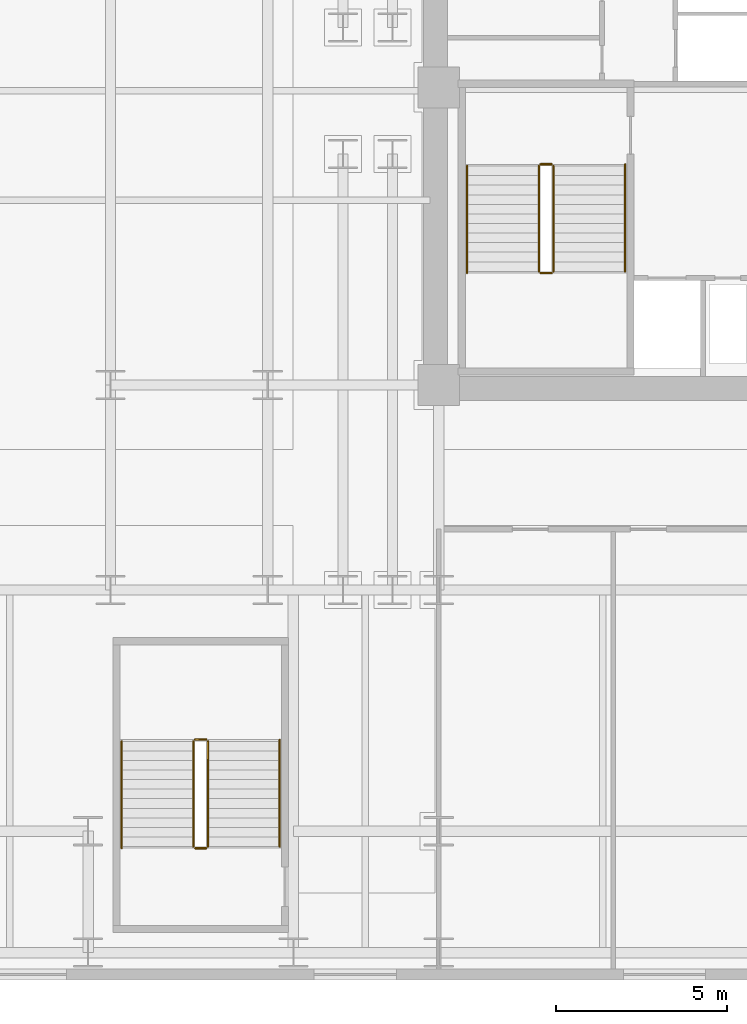
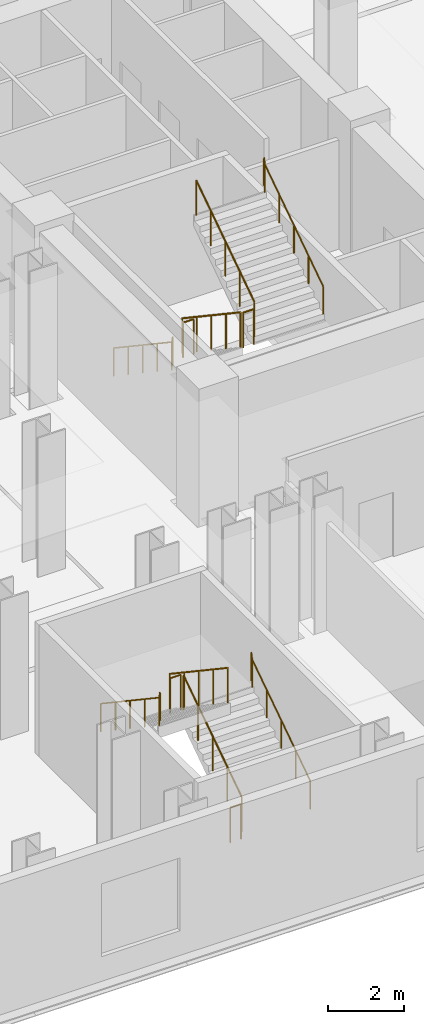
# One storey, part 12 of 15: 12 railings.
"""IFC4 building model written with IfcOpenShell, lengths in metres."""

from ifc_helpers import new_model, si_unit, direction, frame, origin, origin_2d, place, context, subcontext, project, spatial, circle, extrude, material, type_object, element, save


model = new_model("IFC4")

# Units and contexts
model_context = context("Model", 3, precision=1e-05, world=origin(), true_north=direction((0.0, 1.0)))
body_context = subcontext(model_context, "Body", "Model", "MODEL_VIEW")
ifc_project = project(units=[si_unit("LENGTHUNIT", "METRE"), si_unit("AREAUNIT", "SQUARE_METRE"), si_unit("VOLUMEUNIT", "CUBIC_METRE"), si_unit("PLANEANGLEUNIT", "RADIAN"), si_unit("MASSUNIT", "GRAM", prefix="KILO")], contexts=[model_context])

# Site, building, storey
site_placement = place(None, origin())
site = spatial("IfcSite", under=ifc_project, at=site_placement, CompositionType="ELEMENT")
building_placement = place(site_placement, origin())
building = spatial("IfcBuilding", under=site, at=building_placement, Name="Velakula Bourse", CompositionType="ELEMENT")
storey_placement = place(building_placement, frame((0.0, 0.0, 14.10009765625)))
storey = spatial("IfcBuildingStorey", under=building, at=storey_placement, Name="L03", CompositionType="ELEMENT", Elevation=14.10009765625)

# Railings
ifc_material = material(Name="Brushed grade 316 stainless steel", Category="steel")
railing_type_1 = type_object("IfcRailingType", Name="RLG-STAIR-GUARD-1150", PredefinedType="BALUSTRADE", material=ifc_material)
railing_1_placement = place(storey_placement, frame((-15.672119140625, -2.199951171875, 0.1875)))
element("IfcRailing", 1, at=railing_1_placement, inside=storey, type_object=railing_type_1, Name="L03 ST-W1 stair guard 1", PredefinedType="BALUSTRADE", context=body_context, shape_type="SweptSolid", body=[
    extrude(circle(Radius=0.02490234375, at=origin_2d()), frame((0.0, 0.0, 1.125), z_axis=(0.0, -0.830913701846, 0.55640131208), x_axis=(1.0, 0.0, 0.0)), (0.0, 0.0, 1.0), 3.706787109375),
    extrude(circle(Radius=0.02099609375, at=origin_2d()), origin(), (0.0, 0.0, 1.0), 1.099853515625),
    extrude(circle(Radius=0.02099609375, at=origin_2d()), frame((0.0, -0.77001953125, 0.515625)), (0.0, 0.0, 1.0), 1.099853515625),
    extrude(circle(Radius=0.02099609375, at=origin_2d()), frame((0.0, -1.5400390625, 1.03125)), (0.0, 0.0, 1.0), 1.099853515625),
    extrude(circle(Radius=0.02099609375, at=origin_2d()), frame((0.0, -2.31005859375, 1.546875)), (0.0, 0.0, 1.0), 1.099853515625),
    extrude(circle(Radius=0.02099609375, at=origin_2d()), frame((0.0, -3.080078125, 2.0625)), (0.0, 0.0, 1.0), 1.099853515625),
])
railing_2_placement = place(storey_placement, frame((-15.6220703125, -5.330078125, 2.25)))
element("IfcRailing", 2, at=railing_2_placement, inside=storey, type_object=railing_type_1, Name="L03 ST-W1 stair guard 2", PredefinedType="BALUSTRADE", context=body_context, shape_type="SweptSolid", body=[
    extrude(circle(Radius=0.02490234375, at=origin_2d()), frame((0.0, 0.0, 1.125), z_axis=(1.0, 0.0, 0.0), x_axis=(0.0, 1.0, 0.0)), (0.0, 0.0, 1.0), 0.323974609375),
    extrude(circle(Radius=0.02099609375, at=origin_2d()), origin(), (0.0, 0.0, 1.0), 1.099853515625),
    extrude(circle(Radius=0.02099609375, at=origin_2d()), frame((0.323974609375, 0.0, 0.0)), (0.0, 0.0, 1.0), 1.099853515625),
])
railing_3_placement = place(storey_placement, frame((-15.248046875, -5.280029296875, 2.4375)))
element("IfcRailing", 3, at=railing_3_placement, inside=storey, type_object=railing_type_1, Name="L03 ST-W1 stair guard 3", PredefinedType="BALUSTRADE", context=body_context, shape_type="SweptSolid", body=[
    extrude(circle(Radius=0.02490234375, at=origin_2d()), frame((0.0, 0.0, 1.125), z_axis=(0.0, 0.830913701846, 0.55640131208), x_axis=(-1.0, 0.0, 0.0)), (0.0, 0.0, 1.0), 3.706787109375),
    extrude(circle(Radius=0.02099609375, at=origin_2d()), origin(), (0.0, 0.0, 1.0), 1.099853515625),
    extrude(circle(Radius=0.02099609375, at=origin_2d()), frame((0.0, 0.77001953125, 0.515625)), (0.0, 0.0, 1.0), 1.099853515625),
    extrude(circle(Radius=0.02099609375, at=origin_2d()), frame((0.0, 1.5400390625, 1.03125)), (0.0, 0.0, 1.0), 1.099853515625),
    extrude(circle(Radius=0.02099609375, at=origin_2d()), frame((0.0, 2.31005859375, 1.546875)), (0.0, 0.0, 1.0), 1.099853515625),
    extrude(circle(Radius=0.02099609375, at=origin_2d()), frame((0.0, 3.080078125, 2.0625)), (0.0, 0.0, 1.0), 1.099853515625),
])
railing_4_placement = place(storey_placement, frame((-15.6220703125, -2.14990234375, 0.0)))
element("IfcRailing", 4, at=railing_4_placement, inside=storey, type_object=railing_type_1, Name="L03 ST-W1 stair guard 4", PredefinedType="BALUSTRADE", context=body_context, shape_type="SweptSolid", body=[
    extrude(circle(Radius=0.02490234375, at=origin_2d()), frame((0.0, 0.0, 1.125), z_axis=(1.0, 0.0, 0.0), x_axis=(0.0, 1.0, 0.0)), (0.0, 0.0, 1.0), 0.323974609375),
    extrude(circle(Radius=0.02099609375, at=origin_2d()), origin(), (0.0, 0.0, 1.0), 1.099853515625),
    extrude(circle(Radius=0.02099609375, at=origin_2d()), frame((0.323974609375, 0.0, 0.0)), (0.0, 0.0, 1.0), 1.099853515625),
])
railing_5_placement = place(storey_placement, frame((-25.347900390625, -22.10009765625, 0.1875)))
element("IfcRailing", 5, at=railing_5_placement, inside=storey, type_object=railing_type_1, Name="L03 ST-P1 stair guard 1", PredefinedType="BALUSTRADE", context=body_context, shape_type="SweptSolid", body=[
    extrude(circle(Radius=0.02490234375, at=origin_2d()), frame((0.0, 0.0, 1.125), z_axis=(0.0, 0.830913701846, 0.55640131208), x_axis=(-1.0, 0.0, 0.0)), (0.0, 0.0, 1.0), 3.706787109375),
    extrude(circle(Radius=0.02099609375, at=origin_2d()), origin(), (0.0, 0.0, 1.0), 1.099853515625),
    extrude(circle(Radius=0.02099609375, at=origin_2d()), frame((0.0, 0.77001953125, 0.515625)), (0.0, 0.0, 1.0), 1.099853515625),
    extrude(circle(Radius=0.02099609375, at=origin_2d()), frame((0.0, 1.5400390625, 1.03125)), (0.0, 0.0, 1.0), 1.099853515625),
    extrude(circle(Radius=0.02099609375, at=origin_2d()), frame((0.0, 2.31005859375, 1.546875)), (0.0, 0.0, 1.0), 1.099853515625),
    extrude(circle(Radius=0.02099609375, at=origin_2d()), frame((0.0, 3.080078125, 2.0625)), (0.0, 0.0, 1.0), 1.099853515625),
])
railing_6_placement = place(storey_placement, frame((-25.39794921875, -18.969970703125, 2.25)))
element("IfcRailing", 6, at=railing_6_placement, inside=storey, type_object=railing_type_1, Name="L03 ST-P1 stair guard 2", PredefinedType="BALUSTRADE", context=body_context, shape_type="SweptSolid", body=[
    extrude(circle(Radius=0.02490234375, at=origin_2d()), frame((0.0, 0.0, 1.125), z_axis=(-1.0, 0.0, 0.0), x_axis=(0.0, -1.0, 0.0)), (0.0, 0.0, 1.0), 0.323974609375),
    extrude(circle(Radius=0.02099609375, at=origin_2d()), origin(), (0.0, 0.0, 1.0), 1.099853515625),
    extrude(circle(Radius=0.02099609375, at=origin_2d()), frame((-0.323974609375, 0.0, 0.0)), (0.0, 0.0, 1.0), 1.099853515625),
])
railing_7_placement = place(storey_placement, frame((-25.77197265625, -19.02001953125, 2.4375)))
element("IfcRailing", 7, at=railing_7_placement, inside=storey, type_object=railing_type_1, Name="L03 ST-P1 stair guard 3", PredefinedType="BALUSTRADE", context=body_context, shape_type="SweptSolid", body=[
    extrude(circle(Radius=0.02490234375, at=origin_2d()), frame((0.0, 0.0, 1.125), z_axis=(0.0, -0.830913701846, 0.55640131208), x_axis=(1.0, 0.0, 0.0)), (0.0, 0.0, 1.0), 3.706787109375),
    extrude(circle(Radius=0.02099609375, at=origin_2d()), origin(), (0.0, 0.0, 1.0), 1.099853515625),
    extrude(circle(Radius=0.02099609375, at=origin_2d()), frame((0.0, -0.77001953125, 0.515625)), (0.0, 0.0, 1.0), 1.099853515625),
    extrude(circle(Radius=0.02099609375, at=origin_2d()), frame((0.0, -1.5400390625, 1.03125)), (0.0, 0.0, 1.0), 1.099853515625),
    extrude(circle(Radius=0.02099609375, at=origin_2d()), frame((0.0, -2.31005859375, 1.546875)), (0.0, 0.0, 1.0), 1.099853515625),
    extrude(circle(Radius=0.02099609375, at=origin_2d()), frame((0.0, -3.080078125, 2.0625)), (0.0, 0.0, 1.0), 1.099853515625),
])
railing_8_placement = place(storey_placement, frame((-25.39794921875, -22.14990234375, 0.0)))
element("IfcRailing", 8, at=railing_8_placement, inside=storey, type_object=railing_type_1, Name="L03 ST-P1 stair guard 4", PredefinedType="BALUSTRADE", context=body_context, shape_type="SweptSolid", body=[
    extrude(circle(Radius=0.02490234375, at=origin_2d()), frame((0.0, 0.0, 1.125), z_axis=(-1.0, 0.0, 0.0), x_axis=(0.0, -1.0, 0.0)), (0.0, 0.0, 1.0), 0.323974609375),
    extrude(circle(Radius=0.02099609375, at=origin_2d()), origin(), (0.0, 0.0, 1.0), 1.099853515625),
    extrude(circle(Radius=0.02099609375, at=origin_2d()), frame((-0.323974609375, 0.0, 0.0)), (0.0, 0.0, 1.0), 1.099853515625),
])
railing_type_2 = type_object("IfcRailingType", Name="RLG-STAIR-HAND-920", PredefinedType="HANDRAIL", material=ifc_material)
railing_9_placement = place(storey_placement, frame((-17.77001953125, -2.199951171875, 0.1875)))
element("IfcRailing", 9, at=railing_9_placement, inside=storey, type_object=railing_type_2, Name="L03 ST-W1 stair handrail 1", PredefinedType="HANDRAIL", context=body_context, shape_type="SweptSolid", body=[
    extrude(circle(Radius=0.02099609375, at=origin_2d()), frame((0.0, 0.0, 0.89892578125), z_axis=(0.0, -0.830913701846, 0.55640131208), x_axis=(1.0, 0.0, 0.0)), (0.0, 0.0, 1.0), 3.706787109375),
    extrude(circle(Radius=0.02099609375, at=origin_2d()), frame((0.0, -3.080078125, 2.96142578125), z_axis=(0.0, -0.208833338674, 0.97795124452), x_axis=(1.0, 0.0, 0.0)), (0.0, 0.0, 1.0), 0.191650390625),
    extrude(circle(Radius=0.02099609375, at=origin_2d()), frame((0.0, -3.1201171875, 3.14892578125), z_axis=(0.0, -1.0, 0.0), x_axis=(1.0, 0.0, 0.0)), (0.0, 0.0, 1.0), 0.0048828125),
    extrude(circle(Radius=0.02099609375, at=origin_2d()), origin(), (0.0, 0.0, 1.0), 0.8779296875),
    extrude(circle(Radius=0.02099609375, at=origin_2d()), frame((0.0, -0.77001953125, 0.515625)), (0.0, 0.0, 1.0), 0.8779296875),
    extrude(circle(Radius=0.02099609375, at=origin_2d()), frame((0.0, -1.5400390625, 1.03125)), (0.0, 0.0, 1.0), 0.8779296875),
    extrude(circle(Radius=0.02099609375, at=origin_2d()), frame((0.0, -2.31005859375, 1.546875)), (0.0, 0.0, 1.0), 0.8779296875),
    extrude(circle(Radius=0.02099609375, at=origin_2d()), frame((0.0, -3.080078125, 2.0625)), (0.0, 0.0, 1.0), 0.8779296875),
    extrude(circle(Radius=0.02099609375, at=origin_2d()), frame((0.0, -3.1201171875, 2.25)), (0.0, 0.0, 1.0), 0.8779296875),
    extrude(circle(Radius=0.02099609375, at=origin_2d()), frame((0.0, -3.125, 2.25)), (0.0, 0.0, 1.0), 0.8779296875),
])
for number, where, name in (
    (10, (-13.14990234375, -5.280029296875, 2.4375), "L03 ST-W1 stair handrail 2"),
    (11, (-23.25, -22.10009765625, 0.1875), "L03 ST-P1 stair handrail 1"),
):
    element("IfcRailing", number, at=place(storey_placement, frame(where)), inside=storey, type_object=railing_type_2, Name=name, PredefinedType="HANDRAIL", context=body_context, shape_type="SweptSolid", body=[
        extrude(circle(Radius=0.02099609375, at=origin_2d()), frame((0.0, 0.0, 0.89892578125), z_axis=(0.0, 0.830913701846, 0.55640131208), x_axis=(-1.0, 0.0, 0.0)), (0.0, 0.0, 1.0), 3.706787109375),
        extrude(circle(Radius=0.02099609375, at=origin_2d()), frame((0.0, 3.080078125, 2.96142578125), z_axis=(0.0, 0.208833338674, 0.97795124452), x_axis=(-1.0, 0.0, 0.0)), (0.0, 0.0, 1.0), 0.191650390625),
        extrude(circle(Radius=0.02099609375, at=origin_2d()), frame((0.0, 3.1201171875, 3.14892578125), z_axis=(0.0, 1.0, 0.0), x_axis=(-1.0, 0.0, 0.0)), (0.0, 0.0, 1.0), 0.0048828125),
        extrude(circle(Radius=0.02099609375, at=origin_2d()), origin(), (0.0, 0.0, 1.0), 0.8779296875),
        extrude(circle(Radius=0.02099609375, at=origin_2d()), frame((0.0, 0.77001953125, 0.515625)), (0.0, 0.0, 1.0), 0.8779296875),
        extrude(circle(Radius=0.02099609375, at=origin_2d()), frame((0.0, 1.5400390625, 1.03125)), (0.0, 0.0, 1.0), 0.8779296875),
        extrude(circle(Radius=0.02099609375, at=origin_2d()), frame((0.0, 2.31005859375, 1.546875)), (0.0, 0.0, 1.0), 0.8779296875),
        extrude(circle(Radius=0.02099609375, at=origin_2d()), frame((0.0, 3.080078125, 2.0625)), (0.0, 0.0, 1.0), 0.8779296875),
        extrude(circle(Radius=0.02099609375, at=origin_2d()), frame((0.0, 3.1201171875, 2.25)), (0.0, 0.0, 1.0), 0.8779296875),
        extrude(circle(Radius=0.02099609375, at=origin_2d()), frame((0.0, 3.125, 2.25)), (0.0, 0.0, 1.0), 0.8779296875),
    ])
railing_10_placement = place(storey_placement, frame((-27.8701171875, -19.02001953125, 2.4375)))
element("IfcRailing", 12, at=railing_10_placement, inside=storey, type_object=railing_type_2, Name="L03 ST-P1 stair handrail 2", PredefinedType="HANDRAIL", context=body_context, shape_type="SweptSolid", body=[
    extrude(circle(Radius=0.02099609375, at=origin_2d()), frame((0.0, 0.0, 0.89892578125), z_axis=(0.0, -0.830913701846, 0.55640131208), x_axis=(1.0, 0.0, 0.0)), (0.0, 0.0, 1.0), 3.706787109375),
    extrude(circle(Radius=0.02099609375, at=origin_2d()), frame((0.0, -3.080078125, 2.96142578125), z_axis=(0.0, -0.20761501323, 0.97821061448), x_axis=(1.0, 0.0, 0.0)), (0.0, 0.0, 1.0), 0.191650390625),
    extrude(circle(Radius=0.02099609375, at=origin_2d()), frame((0.0, -3.119873046875, 3.14892578125), z_axis=(0.0, -1.0, 0.0), x_axis=(1.0, 0.0, 0.0)), (0.0, 0.0, 1.0), 0.005126953125),
    extrude(circle(Radius=0.02099609375, at=origin_2d()), origin(), (0.0, 0.0, 1.0), 0.8779296875),
    extrude(circle(Radius=0.02099609375, at=origin_2d()), frame((0.0, -0.77001953125, 0.515625)), (0.0, 0.0, 1.0), 0.8779296875),
    extrude(circle(Radius=0.02099609375, at=origin_2d()), frame((0.0, -1.5400390625, 1.03125)), (0.0, 0.0, 1.0), 0.8779296875),
    extrude(circle(Radius=0.02099609375, at=origin_2d()), frame((0.0, -2.31005859375, 1.546875)), (0.0, 0.0, 1.0), 0.8779296875),
    extrude(circle(Radius=0.02099609375, at=origin_2d()), frame((0.0, -3.080078125, 2.0625)), (0.0, 0.0, 1.0), 0.8779296875),
    extrude(circle(Radius=0.02099609375, at=origin_2d()), frame((0.0, -3.119873046875, 2.25)), (0.0, 0.0, 1.0), 0.8779296875),
    extrude(circle(Radius=0.02099609375, at=origin_2d()), frame((0.0, -3.125, 2.25)), (0.0, 0.0, 1.0), 0.8779296875),
])

save(model, "model.ifc")
